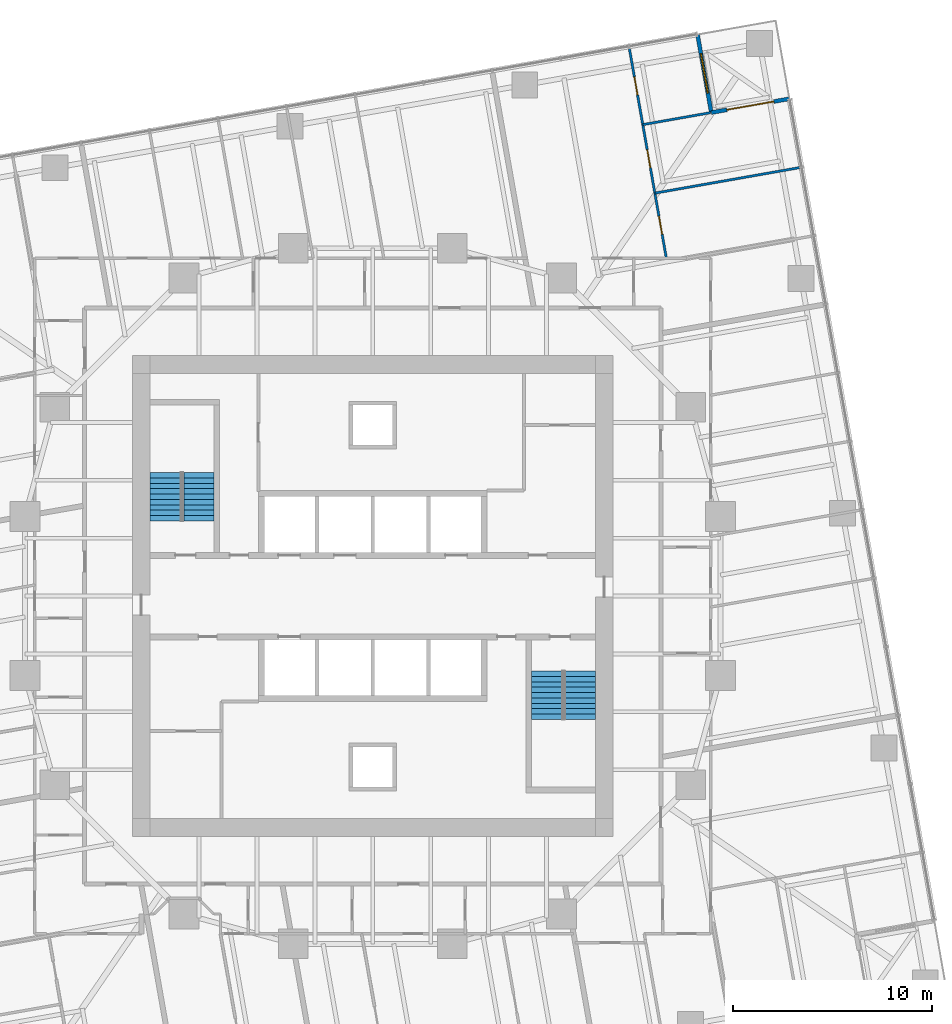
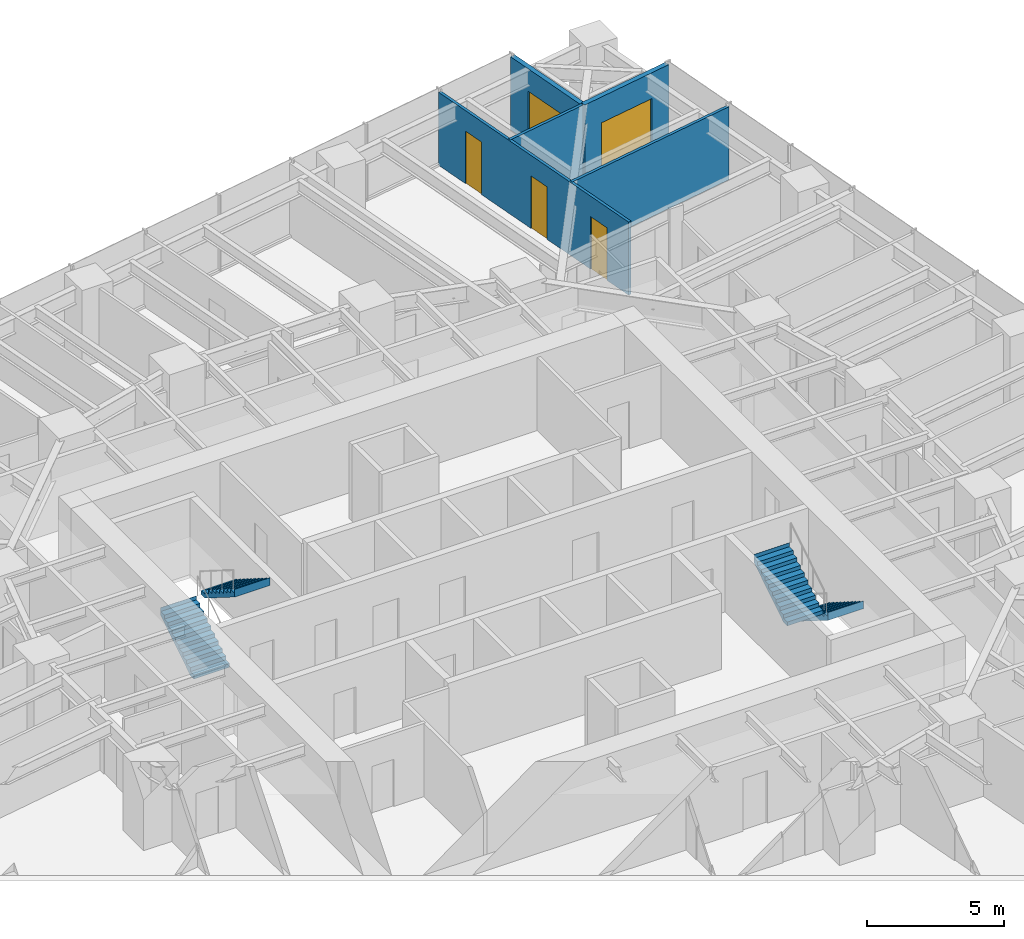
# One storey, part 13 of 14: 5 walls, 4 doors, 4 stair flights, 1 window, 5 openings, 2 elements without a shape of their own.
"""IFC4 building model written with IfcOpenShell, lengths in metres."""

from ifc_helpers import new_model, si_unit, direction, frame, frame_2d, origin, place, context, subcontext, project, spatial, polyline, rectangle, outline, extrude, material, layer, layer_set, type_object, element, fill, aggregate, save


model = new_model("IFC4")

# Units and contexts
model_context = context("Model", 3, precision=1e-05, world=origin(), true_north=direction((0.0, 1.0)))
body_context = subcontext(model_context, "Body", "Model", "MODEL_VIEW")
ifc_project = project(units=[si_unit("LENGTHUNIT", "METRE"), si_unit("AREAUNIT", "SQUARE_METRE"), si_unit("VOLUMEUNIT", "CUBIC_METRE"), si_unit("PLANEANGLEUNIT", "RADIAN"), si_unit("MASSUNIT", "GRAM", prefix="KILO")], contexts=[model_context])

# Site, building, storey
site_placement = place(None, origin())
site = spatial("IfcSite", under=ifc_project, at=site_placement, CompositionType="ELEMENT")
building_placement = place(site_placement, origin())
building = spatial("IfcBuilding", under=site, at=building_placement, Name="Torsade Residences", CompositionType="ELEMENT")
storey_placement = place(building_placement, frame((0.0, 0.0, 82.800048828125)))
storey = spatial("IfcBuildingStorey", under=building, at=storey_placement, Name="L22", CompositionType="ELEMENT", Elevation=82.800048828125)

# Wall, openings, doors
ifc_material_1 = material(Name="Plasterboard on steel stud", Category="steel")
ifc_layer_1 = layer(ifc_material_1, 0.1201171875)
ifc_layer_set_1 = layer_set([ifc_layer_1], Name="Plasterboard on steel stud")
wall_type_1 = type_object("IfcWallType", Name="PARTITION 120", PredefinedType="PARTITIONING", material=ifc_layer_set_1)
wall_1_placement = place(storey_placement, frame((52.89990234375, 57.61962890625, 0.0), z_axis=(0.0, 0.0, 1.0), x_axis=(0.173651010046, -0.984807253583, 0.0)))
wall_1 = element("IfcWall", 1, at=wall_1_placement, inside=storey, type_object=wall_type_1, Name="Partition L22", PredefinedType="PARTITIONING", context=body_context, shape_type="SweptSolid", body=[
    extrude(rectangle(XDim=10.783447265625, YDim=0.1201171875, at=frame_2d((5.3916015625, 0.0))), origin(), (0.0, 0.0, 1.0), 3.25),
])
opening_1_placement = place(wall_1_placement, frame((1.525146484375, 0.0, 0.0)))
opening_1 = element("IfcOpeningElement", 2, at=opening_1_placement, cuts=wall_1, Name="Opening D02", PredefinedType="OPENING", context=body_context, shape_type="SweptSolid", body=[
    extrude(rectangle(XDim=0.919921875, YDim=2.340087890625, at=frame_2d((0.4599609375, 1.169921875))), frame((0.0, 0.070068359375, 0.0), z_axis=(0.0, -1.0, 0.0), x_axis=(1.0, 0.0, 0.0)), (0.0, 0.0, 1.0), 0.14013671875),
])
opening_2_placement = place(wall_1_placement, frame((5.25, 0.0, 0.0)))
opening_2 = element("IfcOpeningElement", 3, at=opening_2_placement, cuts=wall_1, Name="Opening D02", PredefinedType="OPENING", context=body_context, shape_type="SweptSolid", body=[
    extrude(rectangle(XDim=0.919921875, YDim=2.340087890625, at=frame_2d((0.4599609375, 1.169921875))), frame((0.0, 0.070068359375, 0.0), z_axis=(0.0, -1.0, 0.0), x_axis=(1.0, 0.0, 0.0)), (0.0, 0.0, 1.0), 0.14013671875),
])
opening_3_placement = place(wall_1_placement, frame((8.63671875, 0.0, 0.0)))
opening_3 = element("IfcOpeningElement", 4, at=opening_3_placement, cuts=wall_1, Name="Opening D02", PredefinedType="OPENING", context=body_context, shape_type="SweptSolid", body=[
    extrude(rectangle(XDim=0.919921875, YDim=2.340087890625, at=frame_2d((0.4599609375, 1.169921875))), frame((0.0, 0.070068359375, 0.0), z_axis=(0.0, -1.0, 0.0), x_axis=(1.0, 0.0, 0.0)), (0.0, 0.0, 1.0), 0.14013671875),
])
ifc_material_2 = material(Name="Hollow-core timber door", Category="wood")
door_type_1 = type_object("IfcDoorType", Name="INTERNAL DOOR 920x2340", OperationType="NOTDEFINED", PredefinedType="DOOR", material=ifc_material_2)
door_1_placement = place(opening_1_placement, origin())
door_1 = element("IfcDoor", 5, at=door_1_placement, inside=storey, type_object=door_type_1, Name="Door Living room to Family room", OperationType="SINGLE_SWING_RIGHT", OverallHeight=2.340087890625, OverallWidth=0.919921875, PredefinedType="DOOR", context=body_context, shape_type="SweptSolid", body=[
    extrude(rectangle(XDim=0.919921875, YDim=2.340087890625, at=frame_2d((0.4599609375, 1.169921875))), frame((0.0, 0.02490234375, 0.0), z_axis=(0.0, -1.0, 0.0), x_axis=(1.0, 0.0, 0.0)), (0.0, 0.0, 1.0), 0.050048828125),
])
fill(opening_1, door_1)
door_2_placement = place(opening_2_placement, origin())
door_2 = element("IfcDoor", 6, at=door_2_placement, inside=storey, type_object=door_type_1, Name="Door Living room to Bedroom 1", OperationType="SINGLE_SWING_RIGHT", OverallHeight=2.340087890625, OverallWidth=0.919921875, PredefinedType="DOOR", context=body_context, shape_type="SweptSolid", body=[
    extrude(rectangle(XDim=0.919921875, YDim=2.340087890625, at=frame_2d((0.4599609375, 1.169921875))), frame((0.0, 0.02490234375, 0.0), z_axis=(0.0, -1.0, 0.0), x_axis=(1.0, 0.0, 0.0)), (0.0, 0.0, 1.0), 0.050048828125),
])
fill(opening_2, door_2)
door_3_placement = place(opening_3_placement, origin())
door_3 = element("IfcDoor", 7, at=door_3_placement, inside=storey, type_object=door_type_1, Name="Door Living room to Bedroom 2", OperationType="SINGLE_SWING_LEFT", OverallHeight=2.340087890625, OverallWidth=0.919921875, PredefinedType="DOOR", context=body_context, shape_type="SweptSolid", body=[
    extrude(rectangle(XDim=0.919921875, YDim=2.340087890625, at=frame_2d((0.4599609375, 1.169921875))), frame((0.0, 0.02490234375, 0.0), z_axis=(0.0, -1.0, 0.0), x_axis=(1.0, 0.0, 0.0)), (0.0, 0.0, 1.0), 0.050048828125),
])
fill(opening_3, door_3)

# Walls
wall_2_placement = place(storey_placement, frame((61.5419921875, 51.568359375, 0.0), z_axis=(0.0, 0.0, 1.0), x_axis=(-0.984807929323, -0.173647177755, 0.0)))
element("IfcWall", 8, at=wall_2_placement, inside=storey, type_object=wall_type_1, Name="Partition L22", PredefinedType="PARTITIONING", context=body_context, shape_type="SweptSolid", body=[
    extrude(rectangle(XDim=7.4599609375, YDim=0.1201171875, at=frame_2d((3.72998046875, 0.0))), origin(), (0.0, 0.0, 1.0), 3.25),
])
wall_3_placement = place(storey_placement, frame((53.587646484375, 53.7197265625, 0.0), z_axis=(0.0, 0.0, 1.0), x_axis=(0.984805572884, 0.173660541335, 0.0)))
element("IfcWall", 9, at=wall_3_placement, inside=storey, type_object=wall_type_1, Name="Partition L22", PredefinedType="PARTITIONING", context=body_context, shape_type="SweptSolid", body=[
    extrude(rectangle(XDim=3.459716796875, YDim=0.1201171875, at=frame_2d((1.72998046875, 0.0))), origin(), (0.0, 0.0, 1.0), 3.25),
])

# Wall, opening, door
ifc_material_3 = material(Name="Stone-faced precast concrete 40 MPa panel", Category="masonry")
ifc_layer_2 = layer(ifc_material_3, 0.199951171875)
ifc_layer_set_2 = layer_set([ifc_layer_2], Name="Stone-faced precast concrete 40 MPa panel")
wall_type_2 = type_object("IfcWallType", Name="TERRACE WALL 200", PredefinedType="SOLIDWALL", material=ifc_layer_set_2)
wall_4_placement = place(storey_placement, frame((60.9736328125, 55.022216796875, 0.0), z_axis=(0.0, 0.0, 1.0), x_axis=(-0.984808127031, -0.173646056486, 0.0)))
wall_4 = element("IfcWall", 10, at=wall_4_placement, inside=storey, type_object=wall_type_2, Name="Terrace wall L22 5", PredefinedType="SOLIDWALL", context=body_context, shape_type="SweptSolid", body=[
    extrude(rectangle(XDim=4.0, YDim=0.199951171875, at=frame_2d((2.0, 0.0))), origin(), (0.0, 0.0, 1.0), 3.25),
])
opening_4_placement = place(wall_4_placement, frame((0.800048828125, 0.0, 0.0)))
opening_4 = element("IfcOpeningElement", 11, at=opening_4_placement, cuts=wall_4, Name="Opening D10A", PredefinedType="OPENING", context=body_context, shape_type="SweptSolid", body=[
    extrude(rectangle(XDim=2.39990234375, YDim=2.10009765625, at=frame_2d((1.199951171875, 1.050048828125))), frame((0.0, 0.10986328125, 0.0), z_axis=(0.0, -1.0, 0.0), x_axis=(1.0, 0.0, 0.0)), (0.0, 0.0, 1.0), 0.219970703125),
])
ifc_material_4 = material(Name="Aluminium-framed glass door", Category="aluminium")
door_type_2 = type_object("IfcDoorType", Name="TERRACE SLIDING DOOR 2400x2100", OperationType="SLIDING_TO_LEFT", PredefinedType="DOOR", material=ifc_material_4)
door_4_placement = place(opening_4_placement, origin())
door_4 = element("IfcDoor", 12, at=door_4_placement, inside=storey, type_object=door_type_2, Name="Terrace door L22 5", OperationType="SLIDING_TO_LEFT", OverallHeight=2.10009765625, OverallWidth=2.39990234375, PredefinedType="DOOR", context=body_context, shape_type="SweptSolid", body=[
    extrude(rectangle(XDim=2.39990234375, YDim=2.10009765625, at=frame_2d((1.199951171875, 1.050048828125))), frame((0.0, 0.02490234375, 0.0), z_axis=(0.0, -1.0, 0.0), x_axis=(1.0, 0.0, 0.0)), (0.0, 0.0, 1.0), 0.050048828125),
])
fill(opening_4, door_4)

# Wall, opening, window
wall_5_placement = place(storey_placement, frame((57.034423828125, 54.32763671875, 0.0), z_axis=(0.0, 0.0, 1.0), x_axis=(-0.173646056486, 0.984808127031, 0.0)))
wall_5 = element("IfcWall", 13, at=wall_5_placement, inside=storey, type_object=wall_type_2, Name="Terrace wall L22 6", PredefinedType="SOLIDWALL", context=body_context, shape_type="SweptSolid", body=[
    extrude(rectangle(XDim=4.0, YDim=0.199951171875, at=frame_2d((2.0, 0.0))), origin(), (0.0, 0.0, 1.0), 3.25),
])
opening_5_placement = place(wall_5_placement, frame((1.0, 0.0, 0.449951171875)))
opening_5 = element("IfcOpeningElement", 14, at=opening_5_placement, cuts=wall_5, Name="Opening W1B", PredefinedType="OPENING", context=body_context, shape_type="SweptSolid", body=[
    extrude(rectangle(XDim=2.0, YDim=1.800048828125, at=frame_2d((1.0, 0.89990234375))), frame((0.0, 0.10986328125, 0.0), z_axis=(0.0, -1.0, 0.0), x_axis=(1.0, 0.0, 0.0)), (0.0, 0.0, 1.0), 0.219970703125),
])
ifc_material_5 = material(Name="Aluminium-framed glass window", Category="aluminium")
window_type = type_object("IfcWindowType", Name="TERRACE WINDOW 2000x1800", PartitioningType="SINGLE_PANEL", PredefinedType="WINDOW", material=ifc_material_5)
window_placement = place(opening_5_placement, origin())
window = element("IfcWindow", 15, at=window_placement, inside=storey, type_object=window_type, Name="Terrace window L22 6", OverallHeight=1.800048828125, OverallWidth=2.0, PartitioningType="SINGLE_PANEL", PredefinedType="WINDOW", context=body_context, shape_type="SweptSolid", body=[
    extrude(rectangle(XDim=2.0, YDim=1.800048828125, at=frame_2d((1.0, 0.89990234375))), frame((0.0, 0.030029296875, 0.0), z_axis=(0.0, -1.0, 0.0), x_axis=(1.0, 0.0, 0.0)), (0.0, 0.0, 1.0), 0.06005859375),
])
fill(opening_5, window)

# Stair, stair flights
ifc_material_6 = material(Name="Precast concrete 40 MPa", Category="concrete")
stair_type = type_object("IfcStairType", Name="HALF-TURN FIRE STAIR 1500x3400", PredefinedType="HALF_TURN_STAIR", material=ifc_material_6)
stair_1_placement = place(storey_placement, origin())
stair_1 = element("IfcStair", 16, at=stair_1_placement, inside=storey, type_object=stair_type, Name="Stair ST1 L22", PredefinedType="HALF_TURN_STAIR")
ifc_material_7 = material(Name="Precast concrete 40 MPa", Category="concrete")
stair_flight_type = type_object("IfcStairFlightType", Name="PRECAST STAIR FLIGHT 1500x1700", PredefinedType="STRAIGHT", material=ifc_material_7)
stair_flight_1_placement = place(storey_placement, frame((29.550048828125, 33.780029296875, 0.0), z_axis=(0.0, 0.0, 1.0), x_axis=(0.0, 1.0, 0.0)))
stair_flight_1 = element("IfcStairFlight", 17, at=stair_flight_1_placement, type_object=stair_flight_type, Name="ST1 flight 1", NumberOfRisers=10, NumberOfTreads=9, PredefinedType="STRAIGHT", RiserHeight=0.17, TreadLength=0.27, context=body_context, shape_type="SweptSolid", body=[
    extrude(outline(polyline([(0.0, 0.0), (0.0, 0.169921875), (0.27001953125, 0.169921875), (0.27001953125, 0.340087890625), (0.5400390625, 0.340087890625), (0.5400390625, 0.510009765625), (0.81005859375, 0.510009765625), (0.81005859375, 0.679931640625), (1.080078125, 0.679931640625), (1.080078125, 0.85009765625), (1.35009765625, 0.85009765625), (1.35009765625, 1.02001953125), (1.6201171875, 1.02001953125), (1.6201171875, 1.18994140625), (1.889892578125, 1.18994140625), (1.889892578125, 1.360107421875), (2.159912109375, 1.360107421875), (2.159912109375, 1.530029296875), (2.429931640625, 1.530029296875), (2.429931640625, 1.699951171875), (2.43994140625, 1.699951171875), (2.43994140625, 1.352783203125), (2.429931640625, 1.352783203125), (0.28125, 0.0), (0.0, 0.0)])), frame((0.0, 0.75, 0.0), z_axis=(0.0, -1.0, 0.0), x_axis=(1.0, 0.0, 0.0)), (0.0, 0.0, 1.0), 1.5),
])
stair_flight_2_placement = place(storey_placement, frame((31.25, 36.2099609375, 1.699951171875), z_axis=(0.0, 0.0, 1.0), x_axis=(0.0, -1.0, 0.0)))
stair_flight_2 = element("IfcStairFlight", 18, at=stair_flight_2_placement, type_object=stair_flight_type, Name="ST1 flight 2", NumberOfRisers=10, NumberOfTreads=9, PredefinedType="STRAIGHT", RiserHeight=0.17, TreadLength=0.27, context=body_context, shape_type="SweptSolid", body=[
    extrude(outline(polyline([(0.0, 0.0), (0.0, 0.169921875), (0.27001953125, 0.169921875), (0.27001953125, 0.340087890625), (0.5400390625, 0.340087890625), (0.5400390625, 0.510009765625), (0.81005859375, 0.510009765625), (0.81005859375, 0.679931640625), (1.080078125, 0.679931640625), (1.080078125, 0.85009765625), (1.35009765625, 0.85009765625), (1.35009765625, 1.02001953125), (1.6201171875, 1.02001953125), (1.6201171875, 1.18994140625), (1.889892578125, 1.18994140625), (1.889892578125, 1.360107421875), (2.159912109375, 1.360107421875), (2.159912109375, 1.530029296875), (2.429931640625, 1.530029296875), (2.429931640625, 1.699951171875), (2.43994140625, 1.699951171875), (2.43994140625, 1.352783203125), (2.429931640625, 1.352783203125), (0.28125, 0.0), (0.0, 0.0)])), frame((0.0, 0.75, 0.0), z_axis=(0.0, -1.0, 0.0), x_axis=(1.0, 0.0, 0.0)), (0.0, 0.0, 1.0), 1.5),
])
aggregate(stair_1, [stair_flight_1, stair_flight_2])

stair_2_placement = place(storey_placement, origin())
stair_2 = element("IfcStair", 19, at=stair_2_placement, inside=storey, type_object=stair_type, Name="Stair ST2 L22", PredefinedType="HALF_TURN_STAIR")
stair_flight_3_placement = place(storey_placement, frame((50.449951171875, 26.219970703125, 0.0), z_axis=(0.0, 0.0, 1.0), x_axis=(0.0, -1.0, 0.0)))
stair_flight_3 = element("IfcStairFlight", 20, at=stair_flight_3_placement, type_object=stair_flight_type, Name="ST2 flight 1", NumberOfRisers=10, NumberOfTreads=9, PredefinedType="STRAIGHT", RiserHeight=0.17, TreadLength=0.27, context=body_context, shape_type="SweptSolid", body=[
    extrude(outline(polyline([(0.0, 0.0), (0.0, 0.169921875), (0.27001953125, 0.169921875), (0.27001953125, 0.340087890625), (0.5400390625, 0.340087890625), (0.5400390625, 0.510009765625), (0.81005859375, 0.510009765625), (0.81005859375, 0.679931640625), (1.080078125, 0.679931640625), (1.080078125, 0.85009765625), (1.35009765625, 0.85009765625), (1.35009765625, 1.02001953125), (1.6201171875, 1.02001953125), (1.6201171875, 1.18994140625), (1.889892578125, 1.18994140625), (1.889892578125, 1.360107421875), (2.159912109375, 1.360107421875), (2.159912109375, 1.530029296875), (2.429931640625, 1.530029296875), (2.429931640625, 1.699951171875), (2.43994140625, 1.699951171875), (2.43994140625, 1.352783203125), (2.429931640625, 1.352783203125), (0.28125, 0.0), (0.0, 0.0)])), frame((0.0, 0.75, 0.0), z_axis=(0.0, -1.0, 0.0), x_axis=(1.0, 0.0, 0.0)), (0.0, 0.0, 1.0), 1.5),
])
stair_flight_4_placement = place(storey_placement, frame((48.75, 23.7900390625, 1.699951171875), z_axis=(0.0, 0.0, 1.0), x_axis=(0.0, 1.0, 0.0)))
stair_flight_4 = element("IfcStairFlight", 21, at=stair_flight_4_placement, type_object=stair_flight_type, Name="ST2 flight 2", NumberOfRisers=10, NumberOfTreads=9, PredefinedType="STRAIGHT", RiserHeight=0.17, TreadLength=0.27, context=body_context, shape_type="SweptSolid", body=[
    extrude(outline(polyline([(0.0, 0.0), (0.0, 0.169921875), (0.27001953125, 0.169921875), (0.27001953125, 0.340087890625), (0.5400390625, 0.340087890625), (0.5400390625, 0.510009765625), (0.81005859375, 0.510009765625), (0.81005859375, 0.679931640625), (1.080078125, 0.679931640625), (1.080078125, 0.85009765625), (1.35009765625, 0.85009765625), (1.35009765625, 1.02001953125), (1.6201171875, 1.02001953125), (1.6201171875, 1.18994140625), (1.889892578125, 1.18994140625), (1.889892578125, 1.360107421875), (2.159912109375, 1.360107421875), (2.159912109375, 1.530029296875), (2.429931640625, 1.530029296875), (2.429931640625, 1.699951171875), (2.43994140625, 1.699951171875), (2.43994140625, 1.352783203125), (2.429931640625, 1.352783203125), (0.28125, 0.0), (0.0, 0.0)])), frame((0.0, 0.75, 0.0), z_axis=(0.0, -1.0, 0.0), x_axis=(1.0, 0.0, 0.0)), (0.0, 0.0, 1.0), 1.5),
])
aggregate(stair_2, [stair_flight_3, stair_flight_4])

save(model, "model.ifc")
